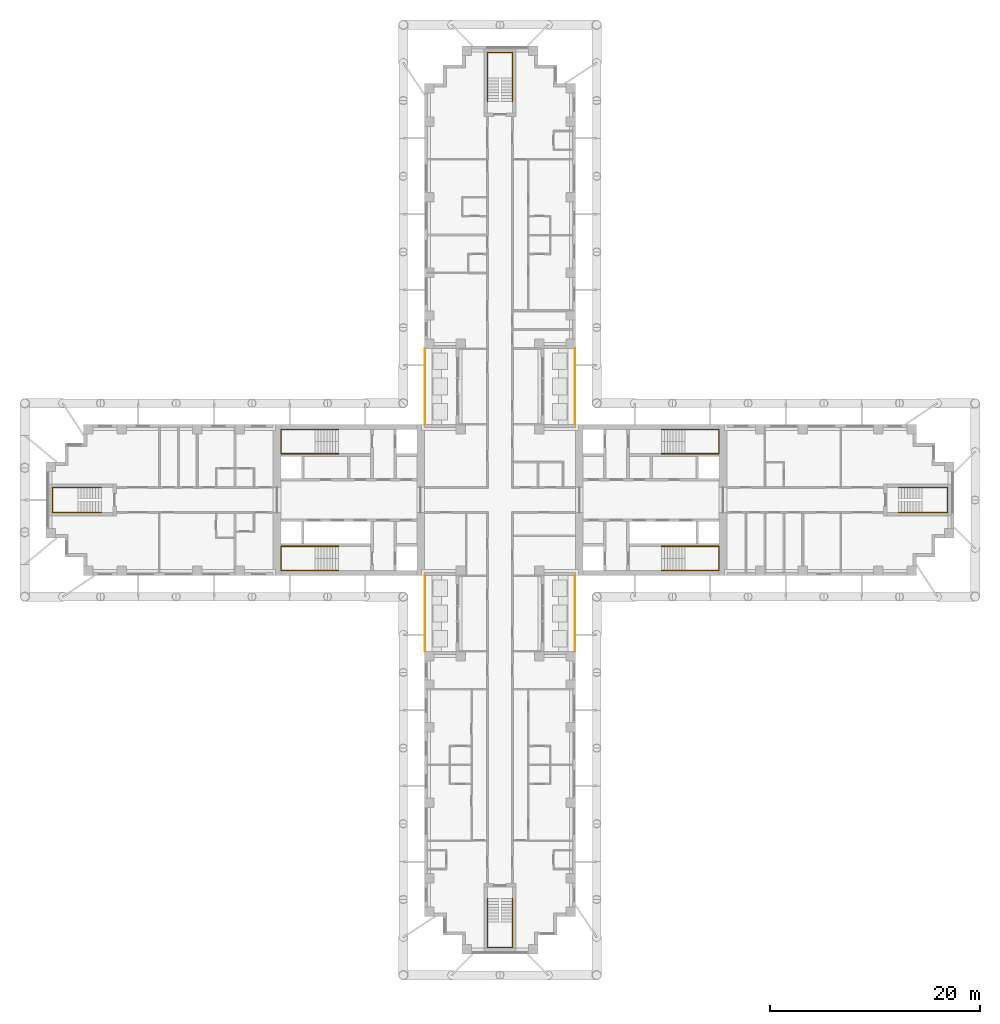
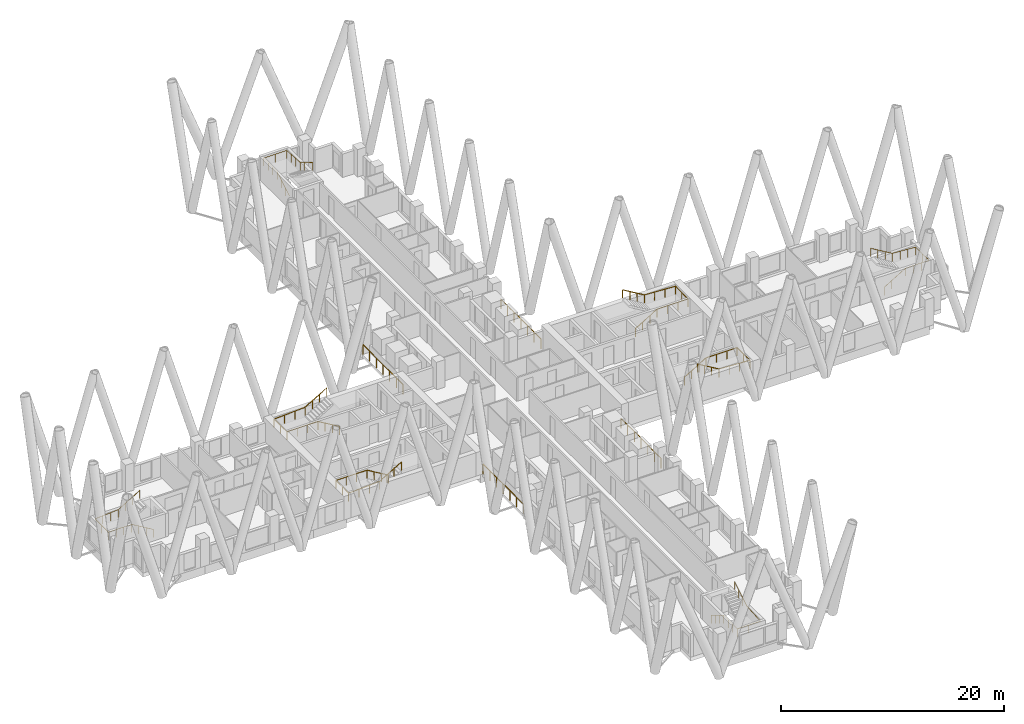
# One storey, part 15 of 16: 12 railings.
"""IFC4 building model written with IfcOpenShell, lengths in metres."""

from ifc_helpers import new_model, si_unit, direction, frame, origin, origin_2d, place, context, subcontext, project, spatial, circle, extrude, material, type_object, element, save


model = new_model("IFC4")

# Units and contexts
model_context = context("Model", 3, precision=1e-05, world=origin(), true_north=direction((0.0, 1.0)))
body_context = subcontext(model_context, "Body", "Model", "MODEL_VIEW")
ifc_project = project(units=[si_unit("LENGTHUNIT", "METRE"), si_unit("AREAUNIT", "SQUARE_METRE"), si_unit("VOLUMEUNIT", "CUBIC_METRE"), si_unit("PLANEANGLEUNIT", "RADIAN"), si_unit("MASSUNIT", "GRAM", prefix="KILO")], contexts=[model_context])

# Site, building, storey
site_placement = place(None, origin())
site = spatial("IfcSite", under=ifc_project, at=site_placement, CompositionType="ELEMENT")
building_placement = place(site_placement, origin())
building = spatial("IfcBuilding", under=site, at=building_placement, Name="Fustian Cross Tower", CompositionType="ELEMENT")
storey_placement = place(building_placement, frame((0.0, 0.0, 44.699951171875)))
storey = spatial("IfcBuildingStorey", under=building, at=storey_placement, Name="L13", CompositionType="ELEMENT", Elevation=44.699951171875)

# Railings
ifc_material_1 = material(Name="Stainless steel and glass", Category="steel")
railing_type_1 = type_object("IfcRailingType", Name="GR1 BALCONY GUARD 1100", PredefinedType="GUARDRAIL", material=ifc_material_1)
for number, where, name in (
    (1, (7.14990234375, 7.199951171875, 0.0), "Balcony guard"),
    (2, (-7.14990234375, 7.199951171875, 0.0), "Balcony guard"),
    (3, (7.14990234375, -14.39990234375, 0.0), "Balcony guard"),
    (4, (-7.14990234375, -14.39990234375, 0.0), "Balcony guard"),
):
    element("IfcRailing", number, at=place(storey_placement, frame(where)), inside=storey, type_object=railing_type_1, Name=name, PredefinedType="GUARDRAIL", context=body_context, shape_type="SweptSolid", body=[
        extrude(circle(Radius=0.02392578125, at=origin_2d()), frame((0.0, 0.0, 1.076171875), z_axis=(0.0, 1.0, 0.0), x_axis=(-1.0, 0.0, 0.0)), (0.0, 0.0, 1.0), 7.199951171875),
        extrude(circle(Radius=0.02099609375, at=origin_2d()), origin(), (0.0, 0.0, 1.0), 1.052001953125),
        extrude(circle(Radius=0.02099609375, at=origin_2d()), frame((0.0, 1.199951171875, 0.0)), (0.0, 0.0, 1.0), 1.052001953125),
        extrude(circle(Radius=0.02099609375, at=origin_2d()), frame((0.0, 2.39990234375, 0.0)), (0.0, 0.0, 1.0), 1.052001953125),
        extrude(circle(Radius=0.02099609375, at=origin_2d()), frame((0.0, 3.60009765625, 0.0)), (0.0, 0.0, 1.0), 1.052001953125),
        extrude(circle(Radius=0.02099609375, at=origin_2d()), frame((0.0, 4.800048828125, 0.0)), (0.0, 0.0, 1.0), 1.052001953125),
        extrude(circle(Radius=0.02099609375, at=origin_2d()), frame((0.0, 6.0, 0.0)), (0.0, 0.0, 1.0), 1.052001953125),
        extrude(circle(Radius=0.02099609375, at=origin_2d()), frame((0.0, 7.199951171875, 0.0)), (0.0, 0.0, 1.0), 1.052001953125),
    ])
ifc_material_2 = material(Name="Stainless steel", Category="steel")
railing_type_2 = type_object("IfcRailingType", Name="STAIR HANDRAIL", PredefinedType="HANDRAIL", material=ifc_material_2)
railing_1_placement = place(storey_placement, frame((15.35009765625, 4.39990234375, 0.166748046875)))
element("IfcRailing", 5, at=railing_1_placement, inside=storey, type_object=railing_type_2, Name="Stair ST1 handrail 1", PredefinedType="HANDRAIL", context=body_context, shape_type="SweptSolid", body=[
    extrude(circle(Radius=0.02490234375, at=origin_2d()), frame((0.0, 0.0, 0.875), z_axis=(0.859305625298, 0.0, 0.511462454469), x_axis=(0.0, 1.0, 0.0)), (0.0, 0.0, 1.0), 2.606689453125),
    extrude(circle(Radius=0.02490234375, at=origin_2d()), frame((2.239990234375, 0.0, 2.2080078125), z_axis=(1.0, 0.0, 0.0), x_axis=(0.0, 1.0, 0.0)), (0.0, 0.0, 1.0), 3.219970703125),
    extrude(circle(Radius=0.02490234375, at=origin_2d()), frame((5.4599609375, 0.0, 2.2080078125), z_axis=(0.0, 1.0, 0.0), x_axis=(-1.0, 0.0, 0.0)), (0.0, 0.0, 1.0), 2.300048828125),
    extrude(circle(Radius=0.02490234375, at=origin_2d()), frame((5.4599609375, 2.300048828125, 2.2080078125), z_axis=(-0.998661817807, 0.0, 0.051716280352), x_axis=(0.0, -1.0, 0.0)), (0.0, 0.0, 1.0), 3.224365234375),
    extrude(circle(Radius=0.02490234375, at=origin_2d()), frame((2.239990234375, 2.300048828125, 2.375), z_axis=(-0.859305625298, 0.0, 0.511462454469), x_axis=(0.0, -1.0, 0.0)), (0.0, 0.0, 1.0), 2.606689453125),
    extrude(circle(Radius=0.02001953125, at=origin_2d()), origin(), (0.0, 0.0, 1.0), 0.849853515625),
    extrude(circle(Radius=0.02001953125, at=origin_2d()), frame((0.74658203125, 0.0, 0.4443359375)), (0.0, 0.0, 1.0), 0.849853515625),
    extrude(circle(Radius=0.02001953125, at=origin_2d()), frame((1.493408203125, 0.0, 0.888916015625)), (0.0, 0.0, 1.0), 0.849853515625),
    extrude(circle(Radius=0.02001953125, at=origin_2d()), frame((2.239990234375, 0.0, 1.333251953125)), (0.0, 0.0, 1.0), 0.849853515625),
    extrude(circle(Radius=0.02001953125, at=origin_2d()), frame((3.313232421875, 0.0, 1.333251953125)), (0.0, 0.0, 1.0), 0.849853515625),
    extrude(circle(Radius=0.02001953125, at=origin_2d()), frame((4.38671875, 0.0, 1.333251953125)), (0.0, 0.0, 1.0), 0.849853515625),
    extrude(circle(Radius=0.02001953125, at=origin_2d()), frame((5.4599609375, 0.0, 1.333251953125)), (0.0, 0.0, 1.0), 0.849853515625),
    extrude(circle(Radius=0.02001953125, at=origin_2d()), frame((5.4599609375, 1.14990234375, 1.333251953125)), (0.0, 0.0, 1.0), 0.849853515625),
    extrude(circle(Radius=0.02001953125, at=origin_2d()), frame((5.4599609375, 2.300048828125, 1.333251953125)), (0.0, 0.0, 1.0), 0.849853515625),
    extrude(circle(Radius=0.02001953125, at=origin_2d()), frame((4.38671875, 2.300048828125, 1.388916015625)), (0.0, 0.0, 1.0), 0.849853515625),
    extrude(circle(Radius=0.02001953125, at=origin_2d()), frame((3.313232421875, 2.300048828125, 1.4443359375)), (0.0, 0.0, 1.0), 0.849853515625),
    extrude(circle(Radius=0.02001953125, at=origin_2d()), frame((2.239990234375, 2.300048828125, 1.5)), (0.0, 0.0, 1.0), 0.849853515625),
    extrude(circle(Radius=0.02001953125, at=origin_2d()), frame((1.493408203125, 2.300048828125, 1.9443359375)), (0.0, 0.0, 1.0), 0.849853515625),
    extrude(circle(Radius=0.02001953125, at=origin_2d()), frame((0.74658203125, 2.300048828125, 2.388916015625)), (0.0, 0.0, 1.0), 0.849853515625),
    extrude(circle(Radius=0.02001953125, at=origin_2d()), frame((0.0, 2.300048828125, 2.833251953125)), (0.0, 0.0, 1.0), 0.849853515625),
])
railing_2_placement = place(storey_placement, frame((15.35009765625, -4.39990234375, 0.166748046875)))
element("IfcRailing", 6, at=railing_2_placement, inside=storey, type_object=railing_type_2, Name="Stair ST2 handrail 1", PredefinedType="HANDRAIL", context=body_context, shape_type="SweptSolid", body=[
    extrude(circle(Radius=0.02490234375, at=origin_2d()), frame((0.0, 0.0, 0.875), z_axis=(0.859305625298, 0.0, 0.511462454469), x_axis=(0.0, 1.0, 0.0)), (0.0, 0.0, 1.0), 2.606689453125),
    extrude(circle(Radius=0.02490234375, at=origin_2d()), frame((2.239990234375, 0.0, 2.2080078125), z_axis=(1.0, 0.0, 0.0), x_axis=(0.0, 1.0, 0.0)), (0.0, 0.0, 1.0), 3.219970703125),
    extrude(circle(Radius=0.02490234375, at=origin_2d()), frame((5.4599609375, 0.0, 2.2080078125), z_axis=(0.0, -1.0, 0.0), x_axis=(1.0, 0.0, 0.0)), (0.0, 0.0, 1.0), 2.300048828125),
    extrude(circle(Radius=0.02490234375, at=origin_2d()), frame((5.4599609375, -2.300048828125, 2.2080078125), z_axis=(-0.998661817807, 0.0, 0.051716280352), x_axis=(0.0, -1.0, 0.0)), (0.0, 0.0, 1.0), 3.224365234375),
    extrude(circle(Radius=0.02490234375, at=origin_2d()), frame((2.239990234375, -2.300048828125, 2.375), z_axis=(-0.859305625298, 0.0, 0.511462454469), x_axis=(0.0, -1.0, 0.0)), (0.0, 0.0, 1.0), 2.606689453125),
    extrude(circle(Radius=0.02001953125, at=origin_2d()), origin(), (0.0, 0.0, 1.0), 0.849853515625),
    extrude(circle(Radius=0.02001953125, at=origin_2d()), frame((0.74658203125, 0.0, 0.4443359375)), (0.0, 0.0, 1.0), 0.849853515625),
    extrude(circle(Radius=0.02001953125, at=origin_2d()), frame((1.493408203125, 0.0, 0.888916015625)), (0.0, 0.0, 1.0), 0.849853515625),
    extrude(circle(Radius=0.02001953125, at=origin_2d()), frame((2.239990234375, 0.0, 1.333251953125)), (0.0, 0.0, 1.0), 0.849853515625),
    extrude(circle(Radius=0.02001953125, at=origin_2d()), frame((3.313232421875, 0.0, 1.333251953125)), (0.0, 0.0, 1.0), 0.849853515625),
    extrude(circle(Radius=0.02001953125, at=origin_2d()), frame((4.38671875, 0.0, 1.333251953125)), (0.0, 0.0, 1.0), 0.849853515625),
    extrude(circle(Radius=0.02001953125, at=origin_2d()), frame((5.4599609375, 0.0, 1.333251953125)), (0.0, 0.0, 1.0), 0.849853515625),
    extrude(circle(Radius=0.02001953125, at=origin_2d()), frame((5.4599609375, -1.14990234375, 1.333251953125)), (0.0, 0.0, 1.0), 0.849853515625),
    extrude(circle(Radius=0.02001953125, at=origin_2d()), frame((5.4599609375, -2.300048828125, 1.333251953125)), (0.0, 0.0, 1.0), 0.849853515625),
    extrude(circle(Radius=0.02001953125, at=origin_2d()), frame((4.38671875, -2.300048828125, 1.388916015625)), (0.0, 0.0, 1.0), 0.849853515625),
    extrude(circle(Radius=0.02001953125, at=origin_2d()), frame((3.313232421875, -2.300048828125, 1.4443359375)), (0.0, 0.0, 1.0), 0.849853515625),
    extrude(circle(Radius=0.02001953125, at=origin_2d()), frame((2.239990234375, -2.300048828125, 1.5)), (0.0, 0.0, 1.0), 0.849853515625),
    extrude(circle(Radius=0.02001953125, at=origin_2d()), frame((1.493408203125, -2.300048828125, 1.9443359375)), (0.0, 0.0, 1.0), 0.849853515625),
    extrude(circle(Radius=0.02001953125, at=origin_2d()), frame((0.74658203125, -2.300048828125, 2.388916015625)), (0.0, 0.0, 1.0), 0.849853515625),
    extrude(circle(Radius=0.02001953125, at=origin_2d()), frame((0.0, -2.300048828125, 2.833251953125)), (0.0, 0.0, 1.0), 0.849853515625),
])
railing_3_placement = place(storey_placement, frame((-15.35009765625, 4.39990234375, 0.166748046875)))
element("IfcRailing", 7, at=railing_3_placement, inside=storey, type_object=railing_type_2, Name="Stair ST3 handrail 1", PredefinedType="HANDRAIL", context=body_context, shape_type="SweptSolid", body=[
    extrude(circle(Radius=0.02490234375, at=origin_2d()), frame((0.0, 0.0, 0.875), z_axis=(-0.859305625298, 0.0, 0.511462454469), x_axis=(0.0, -1.0, 0.0)), (0.0, 0.0, 1.0), 2.606689453125),
    extrude(circle(Radius=0.02490234375, at=origin_2d()), frame((-2.239990234375, 0.0, 2.2080078125), z_axis=(-1.0, 0.0, 0.0), x_axis=(0.0, -1.0, 0.0)), (0.0, 0.0, 1.0), 3.219970703125),
    extrude(circle(Radius=0.02490234375, at=origin_2d()), frame((-5.4599609375, 0.0, 2.2080078125), z_axis=(0.0, 1.0, 0.0), x_axis=(-1.0, 0.0, 0.0)), (0.0, 0.0, 1.0), 2.300048828125),
    extrude(circle(Radius=0.02490234375, at=origin_2d()), frame((-5.4599609375, 2.300048828125, 2.2080078125), z_axis=(0.998661817807, 0.0, 0.051716280352), x_axis=(0.0, 1.0, 0.0)), (0.0, 0.0, 1.0), 3.224365234375),
    extrude(circle(Radius=0.02490234375, at=origin_2d()), frame((-2.239990234375, 2.300048828125, 2.375), z_axis=(0.859305625298, 0.0, 0.511462454469), x_axis=(0.0, 1.0, 0.0)), (0.0, 0.0, 1.0), 2.606689453125),
    extrude(circle(Radius=0.02001953125, at=origin_2d()), origin(), (0.0, 0.0, 1.0), 0.849853515625),
    extrude(circle(Radius=0.02001953125, at=origin_2d()), frame((-0.74658203125, 0.0, 0.4443359375)), (0.0, 0.0, 1.0), 0.849853515625),
    extrude(circle(Radius=0.02001953125, at=origin_2d()), frame((-1.493408203125, 0.0, 0.888916015625)), (0.0, 0.0, 1.0), 0.849853515625),
    extrude(circle(Radius=0.02001953125, at=origin_2d()), frame((-2.239990234375, 0.0, 1.333251953125)), (0.0, 0.0, 1.0), 0.849853515625),
    extrude(circle(Radius=0.02001953125, at=origin_2d()), frame((-3.313232421875, 0.0, 1.333251953125)), (0.0, 0.0, 1.0), 0.849853515625),
    extrude(circle(Radius=0.02001953125, at=origin_2d()), frame((-4.38671875, 0.0, 1.333251953125)), (0.0, 0.0, 1.0), 0.849853515625),
    extrude(circle(Radius=0.02001953125, at=origin_2d()), frame((-5.4599609375, 0.0, 1.333251953125)), (0.0, 0.0, 1.0), 0.849853515625),
    extrude(circle(Radius=0.02001953125, at=origin_2d()), frame((-5.4599609375, 1.14990234375, 1.333251953125)), (0.0, 0.0, 1.0), 0.849853515625),
    extrude(circle(Radius=0.02001953125, at=origin_2d()), frame((-5.4599609375, 2.300048828125, 1.333251953125)), (0.0, 0.0, 1.0), 0.849853515625),
    extrude(circle(Radius=0.02001953125, at=origin_2d()), frame((-4.38671875, 2.300048828125, 1.388916015625)), (0.0, 0.0, 1.0), 0.849853515625),
    extrude(circle(Radius=0.02001953125, at=origin_2d()), frame((-3.313232421875, 2.300048828125, 1.4443359375)), (0.0, 0.0, 1.0), 0.849853515625),
    extrude(circle(Radius=0.02001953125, at=origin_2d()), frame((-2.239990234375, 2.300048828125, 1.5)), (0.0, 0.0, 1.0), 0.849853515625),
    extrude(circle(Radius=0.02001953125, at=origin_2d()), frame((-1.493408203125, 2.300048828125, 1.9443359375)), (0.0, 0.0, 1.0), 0.849853515625),
    extrude(circle(Radius=0.02001953125, at=origin_2d()), frame((-0.74658203125, 2.300048828125, 2.388916015625)), (0.0, 0.0, 1.0), 0.849853515625),
    extrude(circle(Radius=0.02001953125, at=origin_2d()), frame((0.0, 2.300048828125, 2.833251953125)), (0.0, 0.0, 1.0), 0.849853515625),
])
railing_4_placement = place(storey_placement, frame((-15.35009765625, -4.39990234375, 0.166748046875)))
element("IfcRailing", 8, at=railing_4_placement, inside=storey, type_object=railing_type_2, Name="Stair ST4 handrail 1", PredefinedType="HANDRAIL", context=body_context, shape_type="SweptSolid", body=[
    extrude(circle(Radius=0.02490234375, at=origin_2d()), frame((0.0, 0.0, 0.875), z_axis=(-0.859305625298, 0.0, 0.511462454469), x_axis=(0.0, -1.0, 0.0)), (0.0, 0.0, 1.0), 2.606689453125),
    extrude(circle(Radius=0.02490234375, at=origin_2d()), frame((-2.239990234375, 0.0, 2.2080078125), z_axis=(-1.0, 0.0, 0.0), x_axis=(0.0, -1.0, 0.0)), (0.0, 0.0, 1.0), 3.219970703125),
    extrude(circle(Radius=0.02490234375, at=origin_2d()), frame((-5.4599609375, 0.0, 2.2080078125), z_axis=(0.0, -1.0, 0.0), x_axis=(1.0, 0.0, 0.0)), (0.0, 0.0, 1.0), 2.300048828125),
    extrude(circle(Radius=0.02490234375, at=origin_2d()), frame((-5.4599609375, -2.300048828125, 2.2080078125), z_axis=(0.998661817807, 0.0, 0.051716280352), x_axis=(0.0, 1.0, 0.0)), (0.0, 0.0, 1.0), 3.224365234375),
    extrude(circle(Radius=0.02490234375, at=origin_2d()), frame((-2.239990234375, -2.300048828125, 2.375), z_axis=(0.859305625298, 0.0, 0.511462454469), x_axis=(0.0, 1.0, 0.0)), (0.0, 0.0, 1.0), 2.606689453125),
    extrude(circle(Radius=0.02001953125, at=origin_2d()), origin(), (0.0, 0.0, 1.0), 0.849853515625),
    extrude(circle(Radius=0.02001953125, at=origin_2d()), frame((-0.74658203125, 0.0, 0.4443359375)), (0.0, 0.0, 1.0), 0.849853515625),
    extrude(circle(Radius=0.02001953125, at=origin_2d()), frame((-1.493408203125, 0.0, 0.888916015625)), (0.0, 0.0, 1.0), 0.849853515625),
    extrude(circle(Radius=0.02001953125, at=origin_2d()), frame((-2.239990234375, 0.0, 1.333251953125)), (0.0, 0.0, 1.0), 0.849853515625),
    extrude(circle(Radius=0.02001953125, at=origin_2d()), frame((-3.313232421875, 0.0, 1.333251953125)), (0.0, 0.0, 1.0), 0.849853515625),
    extrude(circle(Radius=0.02001953125, at=origin_2d()), frame((-4.38671875, 0.0, 1.333251953125)), (0.0, 0.0, 1.0), 0.849853515625),
    extrude(circle(Radius=0.02001953125, at=origin_2d()), frame((-5.4599609375, 0.0, 1.333251953125)), (0.0, 0.0, 1.0), 0.849853515625),
    extrude(circle(Radius=0.02001953125, at=origin_2d()), frame((-5.4599609375, -1.14990234375, 1.333251953125)), (0.0, 0.0, 1.0), 0.849853515625),
    extrude(circle(Radius=0.02001953125, at=origin_2d()), frame((-5.4599609375, -2.300048828125, 1.333251953125)), (0.0, 0.0, 1.0), 0.849853515625),
    extrude(circle(Radius=0.02001953125, at=origin_2d()), frame((-4.38671875, -2.300048828125, 1.388916015625)), (0.0, 0.0, 1.0), 0.849853515625),
    extrude(circle(Radius=0.02001953125, at=origin_2d()), frame((-3.313232421875, -2.300048828125, 1.4443359375)), (0.0, 0.0, 1.0), 0.849853515625),
    extrude(circle(Radius=0.02001953125, at=origin_2d()), frame((-2.239990234375, -2.300048828125, 1.5)), (0.0, 0.0, 1.0), 0.849853515625),
    extrude(circle(Radius=0.02001953125, at=origin_2d()), frame((-1.493408203125, -2.300048828125, 1.9443359375)), (0.0, 0.0, 1.0), 0.849853515625),
    extrude(circle(Radius=0.02001953125, at=origin_2d()), frame((-0.74658203125, -2.300048828125, 2.388916015625)), (0.0, 0.0, 1.0), 0.849853515625),
    extrude(circle(Radius=0.02001953125, at=origin_2d()), frame((0.0, -2.300048828125, 2.833251953125)), (0.0, 0.0, 1.0), 0.849853515625),
])
railing_5_placement = place(storey_placement, frame((-1.199951171875, 37.89990234375, 0.166748046875)))
element("IfcRailing", 9, at=railing_5_placement, inside=storey, type_object=railing_type_2, Name="Stair ST5 handrail 1", PredefinedType="HANDRAIL", context=body_context, shape_type="SweptSolid", body=[
    extrude(circle(Radius=0.02490234375, at=origin_2d()), frame((0.0, 0.0, 0.875), z_axis=(0.0, 0.859305625298, 0.511462454469), x_axis=(-1.0, 0.0, 0.0)), (0.0, 0.0, 1.0), 2.606689453125),
    extrude(circle(Radius=0.02490234375, at=origin_2d()), frame((0.0, 2.239990234375, 2.2080078125), z_axis=(0.0, 1.0, 0.0), x_axis=(-1.0, 0.0, 0.0)), (0.0, 0.0, 1.0), 2.420166015625),
    extrude(circle(Radius=0.02490234375, at=origin_2d()), frame((0.0, 4.66015625, 2.2080078125), z_axis=(1.0, 0.0, 0.0), x_axis=(0.0, 1.0, 0.0)), (0.0, 0.0, 1.0), 2.39990234375),
    extrude(circle(Radius=0.02490234375, at=origin_2d()), frame((2.39990234375, 4.66015625, 2.2080078125), z_axis=(0.0, -0.997634852044, 0.068736467663), x_axis=(1.0, 0.0, 0.0)), (0.0, 0.0, 1.0), 2.426025390625),
    extrude(circle(Radius=0.02490234375, at=origin_2d()), frame((2.39990234375, 2.239990234375, 2.375), z_axis=(0.0, -0.859305625298, 0.511462454469), x_axis=(1.0, 0.0, 0.0)), (0.0, 0.0, 1.0), 2.606689453125),
    extrude(circle(Radius=0.02001953125, at=origin_2d()), origin(), (0.0, 0.0, 1.0), 0.849853515625),
    extrude(circle(Radius=0.02001953125, at=origin_2d()), frame((0.0, 0.74658203125, 0.4443359375)), (0.0, 0.0, 1.0), 0.849853515625),
    extrude(circle(Radius=0.02001953125, at=origin_2d()), frame((0.0, 1.493408203125, 0.888916015625)), (0.0, 0.0, 1.0), 0.849853515625),
    extrude(circle(Radius=0.02001953125, at=origin_2d()), frame((0.0, 2.239990234375, 1.333251953125)), (0.0, 0.0, 1.0), 0.849853515625),
    extrude(circle(Radius=0.02001953125, at=origin_2d()), frame((0.0, 3.046630859375, 1.333251953125)), (0.0, 0.0, 1.0), 0.849853515625),
    extrude(circle(Radius=0.02001953125, at=origin_2d()), frame((0.0, 3.853515625, 1.333251953125)), (0.0, 0.0, 1.0), 0.849853515625),
    extrude(circle(Radius=0.02001953125, at=origin_2d()), frame((0.0, 4.66015625, 1.333251953125)), (0.0, 0.0, 1.0), 0.849853515625),
    extrude(circle(Radius=0.02001953125, at=origin_2d()), frame((1.199951171875, 4.66015625, 1.333251953125)), (0.0, 0.0, 1.0), 0.849853515625),
    extrude(circle(Radius=0.02001953125, at=origin_2d()), frame((2.39990234375, 4.66015625, 1.333251953125)), (0.0, 0.0, 1.0), 0.849853515625),
    extrude(circle(Radius=0.02001953125, at=origin_2d()), frame((2.39990234375, 3.853515625, 1.388916015625)), (0.0, 0.0, 1.0), 0.849853515625),
    extrude(circle(Radius=0.02001953125, at=origin_2d()), frame((2.39990234375, 3.046630859375, 1.4443359375)), (0.0, 0.0, 1.0), 0.849853515625),
    extrude(circle(Radius=0.02001953125, at=origin_2d()), frame((2.39990234375, 2.239990234375, 1.5)), (0.0, 0.0, 1.0), 0.849853515625),
    extrude(circle(Radius=0.02001953125, at=origin_2d()), frame((2.39990234375, 1.493408203125, 1.9443359375)), (0.0, 0.0, 1.0), 0.849853515625),
    extrude(circle(Radius=0.02001953125, at=origin_2d()), frame((2.39990234375, 0.74658203125, 2.388916015625)), (0.0, 0.0, 1.0), 0.849853515625),
    extrude(circle(Radius=0.02001953125, at=origin_2d()), frame((2.39990234375, 0.0, 2.833251953125)), (0.0, 0.0, 1.0), 0.849853515625),
])
railing_6_placement = place(storey_placement, frame((-1.199951171875, -37.89990234375, 0.166748046875)))
element("IfcRailing", 10, at=railing_6_placement, inside=storey, type_object=railing_type_2, Name="Stair ST6 handrail 1", PredefinedType="HANDRAIL", context=body_context, shape_type="SweptSolid", body=[
    extrude(circle(Radius=0.02490234375, at=origin_2d()), frame((0.0, 0.0, 0.875), z_axis=(0.0, -0.859305625298, 0.511462454469), x_axis=(1.0, 0.0, 0.0)), (0.0, 0.0, 1.0), 2.606689453125),
    extrude(circle(Radius=0.02490234375, at=origin_2d()), frame((0.0, -2.239990234375, 2.2080078125), z_axis=(0.0, -1.0, 0.0), x_axis=(1.0, 0.0, 0.0)), (0.0, 0.0, 1.0), 2.420166015625),
    extrude(circle(Radius=0.02490234375, at=origin_2d()), frame((0.0, -4.66015625, 2.2080078125), z_axis=(1.0, 0.0, 0.0), x_axis=(0.0, 1.0, 0.0)), (0.0, 0.0, 1.0), 2.39990234375),
    extrude(circle(Radius=0.02490234375, at=origin_2d()), frame((2.39990234375, -4.66015625, 2.2080078125), z_axis=(0.0, 0.997634852044, 0.068736467663), x_axis=(-1.0, 0.0, 0.0)), (0.0, 0.0, 1.0), 2.426025390625),
    extrude(circle(Radius=0.02490234375, at=origin_2d()), frame((2.39990234375, -2.239990234375, 2.375), z_axis=(0.0, 0.859305625298, 0.511462454469), x_axis=(-1.0, 0.0, 0.0)), (0.0, 0.0, 1.0), 2.606689453125),
    extrude(circle(Radius=0.02001953125, at=origin_2d()), origin(), (0.0, 0.0, 1.0), 0.849853515625),
    extrude(circle(Radius=0.02001953125, at=origin_2d()), frame((0.0, -0.74658203125, 0.4443359375)), (0.0, 0.0, 1.0), 0.849853515625),
    extrude(circle(Radius=0.02001953125, at=origin_2d()), frame((0.0, -1.493408203125, 0.888916015625)), (0.0, 0.0, 1.0), 0.849853515625),
    extrude(circle(Radius=0.02001953125, at=origin_2d()), frame((0.0, -2.239990234375, 1.333251953125)), (0.0, 0.0, 1.0), 0.849853515625),
    extrude(circle(Radius=0.02001953125, at=origin_2d()), frame((0.0, -3.046630859375, 1.333251953125)), (0.0, 0.0, 1.0), 0.849853515625),
    extrude(circle(Radius=0.02001953125, at=origin_2d()), frame((0.0, -3.853515625, 1.333251953125)), (0.0, 0.0, 1.0), 0.849853515625),
    extrude(circle(Radius=0.02001953125, at=origin_2d()), frame((0.0, -4.66015625, 1.333251953125)), (0.0, 0.0, 1.0), 0.849853515625),
    extrude(circle(Radius=0.02001953125, at=origin_2d()), frame((1.199951171875, -4.66015625, 1.333251953125)), (0.0, 0.0, 1.0), 0.849853515625),
    extrude(circle(Radius=0.02001953125, at=origin_2d()), frame((2.39990234375, -4.66015625, 1.333251953125)), (0.0, 0.0, 1.0), 0.849853515625),
    extrude(circle(Radius=0.02001953125, at=origin_2d()), frame((2.39990234375, -3.853515625, 1.388916015625)), (0.0, 0.0, 1.0), 0.849853515625),
    extrude(circle(Radius=0.02001953125, at=origin_2d()), frame((2.39990234375, -3.046630859375, 1.4443359375)), (0.0, 0.0, 1.0), 0.849853515625),
    extrude(circle(Radius=0.02001953125, at=origin_2d()), frame((2.39990234375, -2.239990234375, 1.5)), (0.0, 0.0, 1.0), 0.849853515625),
    extrude(circle(Radius=0.02001953125, at=origin_2d()), frame((2.39990234375, -1.493408203125, 1.9443359375)), (0.0, 0.0, 1.0), 0.849853515625),
    extrude(circle(Radius=0.02001953125, at=origin_2d()), frame((2.39990234375, -0.74658203125, 2.388916015625)), (0.0, 0.0, 1.0), 0.849853515625),
    extrude(circle(Radius=0.02001953125, at=origin_2d()), frame((2.39990234375, 0.0, 2.833251953125)), (0.0, 0.0, 1.0), 0.849853515625),
])
railing_7_placement = place(storey_placement, frame((37.89990234375, -1.199951171875, 0.166748046875)))
element("IfcRailing", 11, at=railing_7_placement, inside=storey, type_object=railing_type_2, Name="Stair ST8 handrail 1", PredefinedType="HANDRAIL", context=body_context, shape_type="SweptSolid", body=[
    extrude(circle(Radius=0.02490234375, at=origin_2d()), frame((0.0, 0.0, 0.875), z_axis=(0.859305625298, 0.0, 0.511462454469), x_axis=(0.0, 1.0, 0.0)), (0.0, 0.0, 1.0), 2.606689453125),
    extrude(circle(Radius=0.02490234375, at=origin_2d()), frame((2.239990234375, 0.0, 2.2080078125), z_axis=(1.0, 0.0, 0.0), x_axis=(0.0, 1.0, 0.0)), (0.0, 0.0, 1.0), 2.420166015625),
    extrude(circle(Radius=0.02490234375, at=origin_2d()), frame((4.66015625, 0.0, 2.2080078125), z_axis=(0.0, 1.0, 0.0), x_axis=(-1.0, 0.0, 0.0)), (0.0, 0.0, 1.0), 2.39990234375),
    extrude(circle(Radius=0.02490234375, at=origin_2d()), frame((4.66015625, 2.39990234375, 2.2080078125), z_axis=(-0.997634852044, 0.0, 0.068736467663), x_axis=(0.0, -1.0, 0.0)), (0.0, 0.0, 1.0), 2.426025390625),
    extrude(circle(Radius=0.02490234375, at=origin_2d()), frame((2.239990234375, 2.39990234375, 2.375), z_axis=(-0.859305625298, 0.0, 0.511462454469), x_axis=(0.0, -1.0, 0.0)), (0.0, 0.0, 1.0), 2.606689453125),
    extrude(circle(Radius=0.02001953125, at=origin_2d()), origin(), (0.0, 0.0, 1.0), 0.849853515625),
    extrude(circle(Radius=0.02001953125, at=origin_2d()), frame((0.74658203125, 0.0, 0.4443359375)), (0.0, 0.0, 1.0), 0.849853515625),
    extrude(circle(Radius=0.02001953125, at=origin_2d()), frame((1.493408203125, 0.0, 0.888916015625)), (0.0, 0.0, 1.0), 0.849853515625),
    extrude(circle(Radius=0.02001953125, at=origin_2d()), frame((2.239990234375, 0.0, 1.333251953125)), (0.0, 0.0, 1.0), 0.849853515625),
    extrude(circle(Radius=0.02001953125, at=origin_2d()), frame((3.046630859375, 0.0, 1.333251953125)), (0.0, 0.0, 1.0), 0.849853515625),
    extrude(circle(Radius=0.02001953125, at=origin_2d()), frame((3.853515625, 0.0, 1.333251953125)), (0.0, 0.0, 1.0), 0.849853515625),
    extrude(circle(Radius=0.02001953125, at=origin_2d()), frame((4.66015625, 0.0, 1.333251953125)), (0.0, 0.0, 1.0), 0.849853515625),
    extrude(circle(Radius=0.02001953125, at=origin_2d()), frame((4.66015625, 1.199951171875, 1.333251953125)), (0.0, 0.0, 1.0), 0.849853515625),
    extrude(circle(Radius=0.02001953125, at=origin_2d()), frame((4.66015625, 2.39990234375, 1.333251953125)), (0.0, 0.0, 1.0), 0.849853515625),
    extrude(circle(Radius=0.02001953125, at=origin_2d()), frame((3.853515625, 2.39990234375, 1.388916015625)), (0.0, 0.0, 1.0), 0.849853515625),
    extrude(circle(Radius=0.02001953125, at=origin_2d()), frame((3.046630859375, 2.39990234375, 1.4443359375)), (0.0, 0.0, 1.0), 0.849853515625),
    extrude(circle(Radius=0.02001953125, at=origin_2d()), frame((2.239990234375, 2.39990234375, 1.5)), (0.0, 0.0, 1.0), 0.849853515625),
    extrude(circle(Radius=0.02001953125, at=origin_2d()), frame((1.493408203125, 2.39990234375, 1.9443359375)), (0.0, 0.0, 1.0), 0.849853515625),
    extrude(circle(Radius=0.02001953125, at=origin_2d()), frame((0.74658203125, 2.39990234375, 2.388916015625)), (0.0, 0.0, 1.0), 0.849853515625),
    extrude(circle(Radius=0.02001953125, at=origin_2d()), frame((0.0, 2.39990234375, 2.833251953125)), (0.0, 0.0, 1.0), 0.849853515625),
])
railing_8_placement = place(storey_placement, frame((-37.89990234375, -1.199951171875, 0.166748046875)))
element("IfcRailing", 12, at=railing_8_placement, inside=storey, type_object=railing_type_2, Name="Stair ST9 handrail 1", PredefinedType="HANDRAIL", context=body_context, shape_type="SweptSolid", body=[
    extrude(circle(Radius=0.02490234375, at=origin_2d()), frame((0.0, 0.0, 0.875), z_axis=(-0.859305625298, 0.0, 0.511462454469), x_axis=(0.0, -1.0, 0.0)), (0.0, 0.0, 1.0), 2.606689453125),
    extrude(circle(Radius=0.02490234375, at=origin_2d()), frame((-2.239990234375, 0.0, 2.2080078125), z_axis=(-1.0, 0.0, 0.0), x_axis=(0.0, -1.0, 0.0)), (0.0, 0.0, 1.0), 2.420166015625),
    extrude(circle(Radius=0.02490234375, at=origin_2d()), frame((-4.66015625, 0.0, 2.2080078125), z_axis=(0.0, 1.0, 0.0), x_axis=(-1.0, 0.0, 0.0)), (0.0, 0.0, 1.0), 2.39990234375),
    extrude(circle(Radius=0.02490234375, at=origin_2d()), frame((-4.66015625, 2.39990234375, 2.2080078125), z_axis=(0.997634852044, 0.0, 0.068736467663), x_axis=(0.0, 1.0, 0.0)), (0.0, 0.0, 1.0), 2.426025390625),
    extrude(circle(Radius=0.02490234375, at=origin_2d()), frame((-2.239990234375, 2.39990234375, 2.375), z_axis=(0.859305625298, 0.0, 0.511462454469), x_axis=(0.0, 1.0, 0.0)), (0.0, 0.0, 1.0), 2.606689453125),
    extrude(circle(Radius=0.02001953125, at=origin_2d()), origin(), (0.0, 0.0, 1.0), 0.849853515625),
    extrude(circle(Radius=0.02001953125, at=origin_2d()), frame((-0.74658203125, 0.0, 0.4443359375)), (0.0, 0.0, 1.0), 0.849853515625),
    extrude(circle(Radius=0.02001953125, at=origin_2d()), frame((-1.493408203125, 0.0, 0.888916015625)), (0.0, 0.0, 1.0), 0.849853515625),
    extrude(circle(Radius=0.02001953125, at=origin_2d()), frame((-2.239990234375, 0.0, 1.333251953125)), (0.0, 0.0, 1.0), 0.849853515625),
    extrude(circle(Radius=0.02001953125, at=origin_2d()), frame((-3.046630859375, 0.0, 1.333251953125)), (0.0, 0.0, 1.0), 0.849853515625),
    extrude(circle(Radius=0.02001953125, at=origin_2d()), frame((-3.853515625, 0.0, 1.333251953125)), (0.0, 0.0, 1.0), 0.849853515625),
    extrude(circle(Radius=0.02001953125, at=origin_2d()), frame((-4.66015625, 0.0, 1.333251953125)), (0.0, 0.0, 1.0), 0.849853515625),
    extrude(circle(Radius=0.02001953125, at=origin_2d()), frame((-4.66015625, 1.199951171875, 1.333251953125)), (0.0, 0.0, 1.0), 0.849853515625),
    extrude(circle(Radius=0.02001953125, at=origin_2d()), frame((-4.66015625, 2.39990234375, 1.333251953125)), (0.0, 0.0, 1.0), 0.849853515625),
    extrude(circle(Radius=0.02001953125, at=origin_2d()), frame((-3.853515625, 2.39990234375, 1.388916015625)), (0.0, 0.0, 1.0), 0.849853515625),
    extrude(circle(Radius=0.02001953125, at=origin_2d()), frame((-3.046630859375, 2.39990234375, 1.4443359375)), (0.0, 0.0, 1.0), 0.849853515625),
    extrude(circle(Radius=0.02001953125, at=origin_2d()), frame((-2.239990234375, 2.39990234375, 1.5)), (0.0, 0.0, 1.0), 0.849853515625),
    extrude(circle(Radius=0.02001953125, at=origin_2d()), frame((-1.493408203125, 2.39990234375, 1.9443359375)), (0.0, 0.0, 1.0), 0.849853515625),
    extrude(circle(Radius=0.02001953125, at=origin_2d()), frame((-0.74658203125, 2.39990234375, 2.388916015625)), (0.0, 0.0, 1.0), 0.849853515625),
    extrude(circle(Radius=0.02001953125, at=origin_2d()), frame((0.0, 2.39990234375, 2.833251953125)), (0.0, 0.0, 1.0), 0.849853515625),
])

save(model, "model.ifc")
